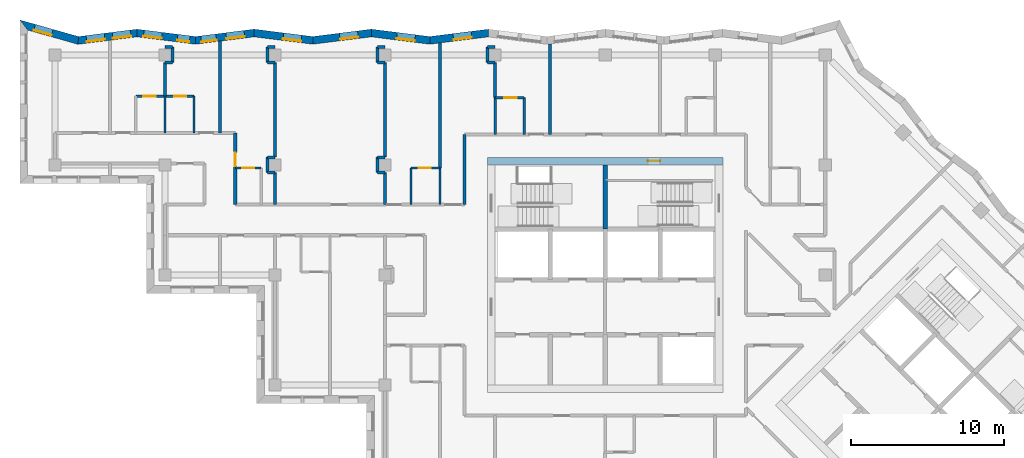
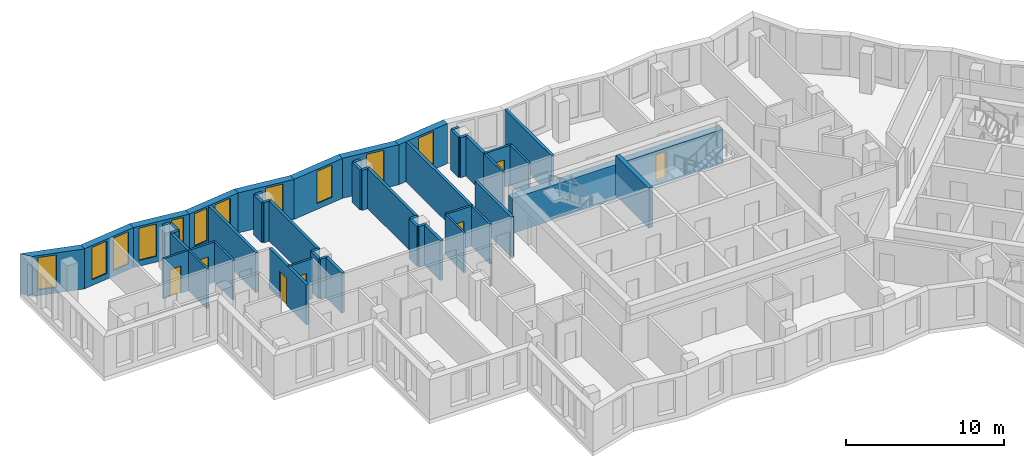
# One storey, part 6 of 12: 49 walls, 11 windows, 7 doors, 18 openings.
"""IFC4 building model written with IfcOpenShell, lengths in metres."""

import ifcopenshell
import ifcopenshell.guid

model = None  # the IFC model being written
_history = None  # IfcOwnerHistory: only IFC2X3 demands one
_inside = {}  # id of a spatial element -> (the spatial element, [elements in it])
_under = {}  # id of a project, library or spatial element -> (it, [spatial elements below it])
_declared = {}  # id of a project -> (the project, [libraries it declares])
_typed = {}  # id of a type object -> (the type object, [elements of that type])
_made_of = {}  # id of a material, layer set ... -> (it, [elements and type objects made of it])


def new_model(schema):
    """Start an empty IFC model of exactly this schema.

    Asked for "IFC4X3", IfcOpenShell would pick the latest addendum, in which some entities
    have other attributes; the version numbers below select the first issue.
    IFC2X3 requires an IfcOwnerHistory on every rooted entity: one is made here for all.
    """
    global model, _history
    if schema == "IFC4X3":
        model = ifcopenshell.file(schema_version=(4, 3, 0, 0))
    else:
        model = ifcopenshell.file(schema=schema)
    _inside.clear()
    _under.clear()
    _declared.clear()
    _typed.clear()
    _made_of.clear()
    _history = None
    if model.schema == "IFC2X3":
        org = make("IfcOrganization", Name="unknown")
        user = make(
            "IfcPersonAndOrganization",
            ThePerson=make("IfcPerson", FamilyName="unknown"),
            TheOrganization=org,
        )
        app = make(
            "IfcApplication",
            ApplicationDeveloper=org,
            Version="unknown",
            ApplicationFullName="unknown",
            ApplicationIdentifier="unknown",
        )
        _history = make(
            "IfcOwnerHistory",
            OwningUser=user,
            OwningApplication=app,
            ChangeAction="ADDED",
            CreationDate=0,
        )
    return model


def make(cls, **values):
    """One entity of the class cls with the attributes given. An attribute that is None is left unset."""
    return model.create_entity(
        cls, **{name: value for name, value in values.items() if value is not None}
    )


def rooted(cls, **values):
    """An entity with a GlobalId (a new one), such as an element, a storey or a relation."""
    return make(cls, GlobalId=ifcopenshell.guid.new(), OwnerHistory=_history, **values)


def si_unit(unit_type, name, prefix=None):
    """IfcSIUnit, for example si_unit("LENGTHUNIT", "METRE", prefix="MILLI")."""
    return make("IfcSIUnit", UnitType=unit_type, Prefix=prefix, Name=name)


def assignment(units):
    """IfcUnitAssignment: the units of a project."""
    return None if units is None else make("IfcUnitAssignment", Units=units)


def point(xyz):
    """IfcCartesianPoint."""
    return None if xyz is None else make("IfcCartesianPoint", Coordinates=xyz)


def direction(xyz):
    """IfcDirection."""
    return None if xyz is None else make("IfcDirection", DirectionRatios=xyz)


def frame(location, z_axis=None, x_axis=None):
    """IfcAxis2Placement3D, a coordinate frame: its origin and axes. An axis left out is left unset."""
    return make(
        "IfcAxis2Placement3D",
        Location=point(location),
        Axis=direction(z_axis),
        RefDirection=direction(x_axis),
    )


def frame_2d(location, x_axis=None):
    """IfcAxis2Placement2D, a coordinate frame in the plane: its origin and x axis."""
    return make(
        "IfcAxis2Placement2D", Location=point(location), RefDirection=direction(x_axis)
    )


def origin():
    """The frame at (0, 0, 0) with its axes left unset."""
    return frame((0.0, 0.0, 0.0))


def place(relative_to, where):
    """IfcLocalPlacement: puts the frame where relative to a parent placement (None: the world)."""
    return make(
        "IfcLocalPlacement", PlacementRelTo=relative_to, RelativePlacement=where
    )


def context(
    kind, dimensions, precision=None, world=None, true_north=None, identifier=None
):
    """IfcGeometricRepresentationContext, for example the 3D "Model" context."""
    return make(
        "IfcGeometricRepresentationContext",
        ContextIdentifier=identifier,
        ContextType=kind,
        CoordinateSpaceDimension=dimensions,
        Precision=precision,
        WorldCoordinateSystem=world,
        TrueNorth=true_north,
    )


def subcontext(parent, identifier, kind, view, scale=None):
    """IfcGeometricRepresentationSubContext, for example "Body" below "Model"."""
    return make(
        "IfcGeometricRepresentationSubContext",
        ContextIdentifier=identifier,
        ContextType=kind,
        ParentContext=parent,
        TargetScale=scale,
        TargetView=view,
    )


def project(units=None, contexts=None):
    """IfcProject with its units and contexts."""
    return rooted(
        "IfcProject",
        Name="project",
        RepresentationContexts=contexts,
        UnitsInContext=assignment(units),
    )


def spatial(cls, under=None, at=None, **own):
    """A site, building, storey or space (cls), placed at a placement, below another one or the project."""
    s = rooted(cls, ObjectPlacement=at, **own)
    if under is not None:
        _under.setdefault(under.id(), (under, []))[1].append(s)
    return s


def polyline(points):
    """IfcPolyline through the points."""
    return make("IfcPolyline", Points=[point(p) for p in points])


def profile(cls, at=None, kind="AREA", **sizes):
    """A parametric profile (cls). Its sizes go by their IFC names, for example OverallWidth=200.0."""
    return make(cls, ProfileType=kind, Position=at, **sizes)


def rectangle(**sizes):
    """IfcRectangleProfileDef."""
    return profile("IfcRectangleProfileDef", **sizes)


def outline(outer, holes=None, kind="AREA"):
    """IfcArbitraryClosedProfileDef: a profile drawn as a closed curve; with holes, ...WithVoids."""
    if holes is None:
        return make("IfcArbitraryClosedProfileDef", ProfileType=kind, OuterCurve=outer)
    return make(
        "IfcArbitraryProfileDefWithVoids",
        ProfileType=kind,
        OuterCurve=outer,
        InnerCurves=holes,
    )


def extrude(swept, where, along, depth):
    """IfcExtrudedAreaSolid: the profile swept, set in the frame where, extruded along a direction by depth."""
    return make(
        "IfcExtrudedAreaSolid",
        SweptArea=swept,
        Position=where,
        ExtrudedDirection=direction(along),
        Depth=depth,
    )


def shape(context_of_items, identifier, shape_type, items):
    """IfcShapeRepresentation: the items that make up one representation, for example the "Body"."""
    return make(
        "IfcShapeRepresentation",
        ContextOfItems=context_of_items,
        RepresentationIdentifier=identifier,
        RepresentationType=shape_type,
        Items=items,
    )


def material(Name=None, Category=None):
    """IfcMaterial."""
    return make("IfcMaterial", Name=Name, Category=Category)


def layer(
    of_material, thickness, ventilated=None, Name=None, Category=None, Priority=None
):
    """IfcMaterialLayer: one layer of a wall or slab, of a material (None: an air gap)."""
    return make(
        "IfcMaterialLayer",
        Material=of_material,
        LayerThickness=thickness,
        IsVentilated=ventilated,
        Name=Name,
        Category=Category,
        Priority=Priority,
    )


def layer_set(layers, Name=None):
    """IfcMaterialLayerSet."""
    return make("IfcMaterialLayerSet", MaterialLayers=layers, LayerSetName=Name)


def made_of(thing, what):
    """Note that an element or type object is made of a material, layer set ...; save() writes the relation."""
    if what is not None:
        _made_of.setdefault(what.id(), (what, []))[1].append(thing)
    return thing


def type_object(cls, material=None, **own):
    """A type object (cls), such as IfcWallType, which elements share."""
    return made_of(rooted(cls, **own), material)


def element(
    cls,
    number,
    at=None,
    inside=None,
    cuts=None,
    type_object=None,
    material=None,
    context=None,
    identifier="Body",
    shape_type=None,
    held_by="IfcProductDefinitionShape",
    body=None,
    shapes=None,
    **own,
):
    """One element of the class cls, such as IfcWall. Its Tag is "e" and its number.

    at: its placement. inside: the storey or other place that contains it. cuts: it is an
    opening in that element (IfcRelVoidsElement). A single representation is given by context,
    identifier, shape_type and body (its items); several are given by shapes. held_by: the class
    of the entity that holds the representations. save() writes the other relations.
    """
    e = rooted(cls, Tag="e%d" % number, ObjectPlacement=at, **own)
    if body is not None:
        shapes = [shape(context, identifier, shape_type, body)]
    if shapes is not None:
        e.Representation = make(held_by, Representations=shapes)
    if inside is not None:
        _inside.setdefault(inside.id(), (inside, []))[1].append(e)
    if cuts is not None:
        rooted(
            "IfcRelVoidsElement", RelatingBuildingElement=cuts, RelatedOpeningElement=e
        )
    if type_object is not None:
        _typed.setdefault(type_object.id(), (type_object, []))[1].append(e)
    return made_of(e, material)


def fill(opening, filler):
    """IfcRelFillsElement: the door or window that sits in an opening."""
    return rooted(
        "IfcRelFillsElement",
        RelatingOpeningElement=opening,
        RelatedBuildingElement=filler,
    )


def aggregate(whole, parts):
    """IfcRelAggregates: a whole, such as a stair, and the parts it consists of."""
    return rooted("IfcRelAggregates", RelatingObject=whole, RelatedObjects=parts)


def save(model, path):
    """Write the relations noted so far, then the file.

    IfcRelAggregates (storeys below a building ...), IfcRelContainedInSpatialStructure (elements
    in a storey), IfcRelDefinesByType, IfcRelAssociatesMaterial and IfcRelDeclares: one each for
    every whole, place, type object, material and project.
    """
    for whole, parts in _under.values():
        aggregate(whole, parts)
    for where, things in _inside.values():
        rooted(
            "IfcRelContainedInSpatialStructure",
            RelatedElements=things,
            RelatingStructure=where,
        )
    for kind, things in _typed.values():
        rooted("IfcRelDefinesByType", RelatedObjects=things, RelatingType=kind)
    for what, things in _made_of.values():
        rooted("IfcRelAssociatesMaterial", RelatedObjects=things, RelatingMaterial=what)
    for by, libraries in _declared.values():
        rooted("IfcRelDeclares", RelatingContext=by, RelatedDefinitions=libraries)
    model.write(path)


model = new_model("IFC4")

# Units and contexts
model_context = context("Model", 3, precision=1e-05, world=origin(), true_north=direction((0.0, 1.0)))
body_context = subcontext(model_context, "Body", "Model", "MODEL_VIEW")
ifc_project = project(units=[si_unit("LENGTHUNIT", "METRE"), si_unit("AREAUNIT", "SQUARE_METRE"), si_unit("VOLUMEUNIT", "CUBIC_METRE"), si_unit("PLANEANGLEUNIT", "RADIAN"), si_unit("MASSUNIT", "GRAM", prefix="KILO")], contexts=[model_context])

# Site, building, storey
site_placement = place(None, origin())
site = spatial("IfcSite", under=ifc_project, at=site_placement, CompositionType="ELEMENT")
building_placement = place(site_placement, origin())
building = spatial("IfcBuilding", under=site, at=building_placement, Name="Windrow Commons", CompositionType="ELEMENT")
storey_placement = place(building_placement, frame((0.0, 0.0, 210.0)))
storey = spatial("IfcBuildingStorey", under=building, at=storey_placement, Name="L57", CompositionType="ELEMENT", Elevation=210.0)

# Wall, opening, window
ifc_material_1 = material(Name="Brick masonry, red clay brick", Category="masonry")
ifc_layer_1 = layer(ifc_material_1, 0.5)
ifc_layer_set_1 = layer_set([ifc_layer_1], Name="Brick facade wall 500")
wall_type_1 = type_object("IfcWallType", Name="Brick facade wall 500", PredefinedType="SOLIDWALL", material=ifc_layer_set_1)
wall_1_placement = place(storey_placement, frame((57.1622, 73.43, 0.0), z_axis=(0.0, 0.0, 1.0), x_axis=(-0.9921763319, -0.1248444087, 0.0)))
wall_1 = element("IfcWall", 1, at=wall_1_placement, inside=storey, type_object=wall_type_1, Name="Brick facade wall L57 23", PredefinedType="SOLIDWALL", context=body_context, shape_type="SweptSolid", body=[
    extrude(outline(polyline([(-0.0315, -0.25), (3.8293, -0.25), (3.8922, 0.25), (0.0315, 0.25), (-0.0315, -0.25)])), origin(), (0.0, 0.0, 1.0), 3.1),
])
opening_1_placement = place(wall_1_placement, frame((1.1093, 0.0, 0.45)))
opening_1 = element("IfcOpeningElement", 2, at=opening_1_placement, cuts=wall_1, Name="Opening W7E", PredefinedType="OPENING", context=body_context, shape_type="SweptSolid", body=[
    extrude(rectangle(XDim=1.2, YDim=2.5, at=frame_2d((0.6, 1.25))), frame((0.0, 0.26, 0.0), z_axis=(0.0, -1.0, 0.0), x_axis=(1.0, 0.0, 0.0)), (0.0, 0.0, 1.0), 0.52),
])
ifc_material_2 = material(Name="Clear float glass in anodised aluminium frame", Category="aluminium")
window_type_1 = type_object("IfcWindowType", Name="Window W7 notch 1200x2500", PartitioningType="SINGLE_PANEL", PredefinedType="WINDOW", material=ifc_material_2)
window_1_placement = place(opening_1_placement, origin())
window_1 = element("IfcWindow", 3, at=window_1_placement, inside=storey, type_object=window_type_1, Name="Window L57 23.1", OverallHeight=2.5, OverallWidth=1.2, PartitioningType="SINGLE_PANEL", PredefinedType="WINDOW", context=body_context, shape_type="SweptSolid", body=[
    extrude(rectangle(XDim=1.2, YDim=2.5, at=frame_2d((0.6, 1.25))), frame((0.0, 0.18, 0.0), z_axis=(0.0, -1.0, 0.0), x_axis=(1.0, 0.0, 0.0)), (0.0, 0.0, 1.0), 0.06),
])
fill(opening_1, window_1)

wall_2_placement = place(storey_placement, frame((53.3316, 72.948, 0.0), z_axis=(0.0, 0.0, 1.0), x_axis=(-0.9921759282, 0.1248476171, 0.0)))
wall_2 = element("IfcWall", 4, at=wall_2_placement, inside=storey, type_object=wall_type_1, Name="Brick facade wall L57 24", PredefinedType="SOLIDWALL", context=body_context, shape_type="SweptSolid", body=[
    extrude(outline(polyline([(0.0315, -0.25), (3.8922, -0.25), (3.8293, 0.25), (-0.0315, 0.25), (0.0315, -0.25)])), origin(), (0.0, 0.0, 1.0), 3.1),
])
opening_2_placement = place(wall_2_placement, frame((0.9774, 0.0, 0.45)))
opening_2 = element("IfcOpeningElement", 5, at=opening_2_placement, cuts=wall_2, Name="Opening W7E", PredefinedType="OPENING", context=body_context, shape_type="SweptSolid", body=[
    extrude(rectangle(XDim=1.2, YDim=2.5, at=frame_2d((0.6, 1.25))), frame((0.0, 0.26, 0.0), z_axis=(0.0, -1.0, 0.0), x_axis=(1.0, 0.0, 0.0)), (0.0, 0.0, 1.0), 0.52),
])
window_2_placement = place(opening_2_placement, origin())
window_2 = element("IfcWindow", 6, at=window_2_placement, inside=storey, type_object=window_type_1, Name="Window L57 24.1", OverallHeight=2.5, OverallWidth=1.2, PartitioningType="SINGLE_PANEL", PredefinedType="WINDOW", context=body_context, shape_type="SweptSolid", body=[
    extrude(rectangle(XDim=1.2, YDim=2.5, at=frame_2d((0.6, 1.25))), frame((0.0, 0.18, 0.0), z_axis=(0.0, -1.0, 0.0), x_axis=(1.0, 0.0, 0.0)), (0.0, 0.0, 1.0), 0.06),
])
fill(opening_2, window_2)

wall_3_placement = place(storey_placement, frame((49.5011, 73.43, 0.0), z_axis=(0.0, 0.0, 1.0), x_axis=(-0.9921759282, -0.1248476171, 0.0)))
wall_3 = element("IfcWall", 7, at=wall_3_placement, inside=storey, type_object=wall_type_1, Name="Brick facade wall L57 25", PredefinedType="SOLIDWALL", context=body_context, shape_type="SweptSolid", body=[
    extrude(outline(polyline([(-0.0315, -0.25), (3.8293, -0.25), (3.8922, 0.25), (0.0315, 0.25), (-0.0315, -0.25)])), origin(), (0.0, 0.0, 1.0), 3.1),
])
opening_3_placement = place(wall_3_placement, frame((0.8769, 0.0, 0.45)))
opening_3 = element("IfcOpeningElement", 8, at=opening_3_placement, cuts=wall_3, Name="Opening W7E", PredefinedType="OPENING", context=body_context, shape_type="SweptSolid", body=[
    extrude(rectangle(XDim=1.2, YDim=2.5, at=frame_2d((0.6, 1.25))), frame((0.0, 0.26, 0.0), z_axis=(0.0, -1.0, 0.0), x_axis=(1.0, 0.0, 0.0)), (0.0, 0.0, 1.0), 0.52),
])
window_3_placement = place(opening_3_placement, origin())
window_3 = element("IfcWindow", 9, at=window_3_placement, inside=storey, type_object=window_type_1, Name="Window L57 25.1", OverallHeight=2.5, OverallWidth=1.2, PartitioningType="SINGLE_PANEL", PredefinedType="WINDOW", context=body_context, shape_type="SweptSolid", body=[
    extrude(rectangle(XDim=1.2, YDim=2.5, at=frame_2d((0.6, 1.25))), frame((0.0, 0.18, 0.0), z_axis=(0.0, -1.0, 0.0), x_axis=(1.0, 0.0, 0.0)), (0.0, 0.0, 1.0), 0.06),
])
fill(opening_3, window_3)

wall_4_placement = place(storey_placement, frame((45.6706, 72.948, 0.0), z_axis=(0.0, 0.0, 1.0), x_axis=(-0.9921759282, 0.1248476171, 0.0)))
wall_4 = element("IfcWall", 10, at=wall_4_placement, inside=storey, type_object=wall_type_1, Name="Brick facade wall L57 26", PredefinedType="SOLIDWALL", context=body_context, shape_type="SweptSolid", body=[
    extrude(outline(polyline([(0.0315, -0.25), (3.8922, -0.25), (3.8293, 0.25), (-0.0315, 0.25), (0.0315, -0.25)])), origin(), (0.0, 0.0, 1.0), 3.1),
])
opening_4_placement = place(wall_4_placement, frame((0.745, 0.0, 0.45)))
opening_4 = element("IfcOpeningElement", 11, at=opening_4_placement, cuts=wall_4, Name="Opening W7E", PredefinedType="OPENING", context=body_context, shape_type="SweptSolid", body=[
    extrude(rectangle(XDim=1.2, YDim=2.5, at=frame_2d((0.6, 1.25))), frame((0.0, 0.26, 0.0), z_axis=(0.0, -1.0, 0.0), x_axis=(1.0, 0.0, 0.0)), (0.0, 0.0, 1.0), 0.52),
])
window_4_placement = place(opening_4_placement, origin())
window_4 = element("IfcWindow", 12, at=window_4_placement, inside=storey, type_object=window_type_1, Name="Window L57 26.1", OverallHeight=2.5, OverallWidth=1.2, PartitioningType="SINGLE_PANEL", PredefinedType="WINDOW", context=body_context, shape_type="SweptSolid", body=[
    extrude(rectangle(XDim=1.2, YDim=2.5, at=frame_2d((0.6, 1.25))), frame((0.0, 0.18, 0.0), z_axis=(0.0, -1.0, 0.0), x_axis=(1.0, 0.0, 0.0)), (0.0, 0.0, 1.0), 0.06),
])
fill(opening_4, window_4)

# Wall, openings, windows
wall_5_placement = place(storey_placement, frame((41.8401, 73.43, 0.0), z_axis=(0.0, 0.0, 1.0), x_axis=(-0.9921759282, -0.1248476171, 0.0)))
wall_5 = element("IfcWall", 13, at=wall_5_placement, inside=storey, type_object=wall_type_1, Name="Brick facade wall L57 27", PredefinedType="SOLIDWALL", context=body_context, shape_type="SweptSolid", body=[
    extrude(outline(polyline([(-0.0315, -0.25), (3.8293, -0.25), (3.8922, 0.25), (0.0315, 0.25), (-0.0315, -0.25)])), origin(), (0.0, 0.0, 1.0), 3.1),
])
opening_5_placement = place(wall_5_placement, frame((0.6446, 0.0, 0.45)))
opening_5 = element("IfcOpeningElement", 14, at=opening_5_placement, cuts=wall_5, Name="Opening W7E", PredefinedType="OPENING", context=body_context, shape_type="SweptSolid", body=[
    extrude(rectangle(XDim=1.2, YDim=2.5, at=frame_2d((0.6, 1.25))), frame((0.0, 0.26, 0.0), z_axis=(0.0, -1.0, 0.0), x_axis=(1.0, 0.0, 0.0)), (0.0, 0.0, 1.0), 0.52),
])
opening_6_placement = place(wall_5_placement, frame((2.4999, 0.0, 0.45)))
opening_6 = element("IfcOpeningElement", 15, at=opening_6_placement, cuts=wall_5, Name="Opening W1S", PredefinedType="OPENING", context=body_context, shape_type="SweptSolid", body=[
    extrude(rectangle(XDim=1.0, YDim=2.5, at=frame_2d((0.5, 1.25))), frame((0.0, 0.26, 0.0), z_axis=(0.0, -1.0, 0.0), x_axis=(1.0, 0.0, 0.0)), (0.0, 0.0, 1.0), 0.52),
])
ifc_material_3 = material(Name="Clear float glass in anodised aluminium frame", Category="aluminium")
window_type_2 = type_object("IfcWindowType", Name="Window W1S slit 1000x2500", PartitioningType="SINGLE_PANEL", PredefinedType="WINDOW", material=ifc_material_3)
window_5_placement = place(opening_6_placement, origin())
window_5 = element("IfcWindow", 16, at=window_5_placement, inside=storey, type_object=window_type_2, Name="Window L57 27.2A", OverallHeight=2.5, OverallWidth=1.0, PartitioningType="SINGLE_PANEL", PredefinedType="WINDOW", context=body_context, shape_type="SweptSolid", body=[
    extrude(rectangle(XDim=1.0, YDim=2.5, at=frame_2d((0.5, 1.25))), frame((0.0, 0.18, 0.0), z_axis=(0.0, -1.0, 0.0), x_axis=(1.0, 0.0, 0.0)), (0.0, 0.0, 1.0), 0.06),
])
fill(opening_6, window_5)
window_6_placement = place(opening_5_placement, origin())
window_6 = element("IfcWindow", 17, at=window_6_placement, inside=storey, type_object=window_type_1, Name="Window L57 27.1", OverallHeight=2.5, OverallWidth=1.2, PartitioningType="SINGLE_PANEL", PredefinedType="WINDOW", context=body_context, shape_type="SweptSolid", body=[
    extrude(rectangle(XDim=1.2, YDim=2.5, at=frame_2d((0.6, 1.25))), frame((0.0, 0.18, 0.0), z_axis=(0.0, -1.0, 0.0), x_axis=(1.0, 0.0, 0.0)), (0.0, 0.0, 1.0), 0.06),
])
fill(opening_5, window_6)

wall_6_placement = place(storey_placement, frame((38.0096, 72.948, 0.0), z_axis=(0.0, 0.0, 1.0), x_axis=(-0.9921763319, 0.1248444087, 0.0)))
wall_6 = element("IfcWall", 18, at=wall_6_placement, inside=storey, type_object=wall_type_1, Name="Brick facade wall L57 28", PredefinedType="SOLIDWALL", context=body_context, shape_type="SweptSolid", body=[
    extrude(outline(polyline([(0.0315, -0.25), (3.8922, -0.25), (3.8293, 0.25), (-0.0315, 0.25), (0.0315, -0.25)])), origin(), (0.0, 0.0, 1.0), 3.1),
])
opening_7_placement = place(wall_6_placement, frame((2.2273, 0.0, 0.45)))
opening_7 = element("IfcOpeningElement", 19, at=opening_7_placement, cuts=wall_6, Name="Opening W7E", PredefinedType="OPENING", context=body_context, shape_type="SweptSolid", body=[
    extrude(rectangle(XDim=1.2, YDim=2.5, at=frame_2d((0.6, 1.25))), frame((0.0, 0.26, 0.0), z_axis=(0.0, -1.0, 0.0), x_axis=(1.0, 0.0, 0.0)), (0.0, 0.0, 1.0), 0.52),
])
opening_8_placement = place(wall_6_placement, frame((0.3965, 0.0, 0.45)))
opening_8 = element("IfcOpeningElement", 20, at=opening_8_placement, cuts=wall_6, Name="Opening W1N", PredefinedType="OPENING", context=body_context, shape_type="SweptSolid", body=[
    extrude(rectangle(XDim=0.8, YDim=2.5, at=frame_2d((0.4, 1.25))), frame((0.0, 0.26, 0.0), z_axis=(0.0, -1.0, 0.0), x_axis=(1.0, 0.0, 0.0)), (0.0, 0.0, 1.0), 0.52),
])
ifc_material_4 = material(Name="Clear float glass in anodised aluminium frame", Category="aluminium")
window_type_3 = type_object("IfcWindowType", Name="Window W1N slit 800x2500", PartitioningType="SINGLE_PANEL", PredefinedType="WINDOW", material=ifc_material_4)
window_7_placement = place(opening_8_placement, origin())
window_7 = element("IfcWindow", 21, at=window_7_placement, inside=storey, type_object=window_type_3, Name="Window L57 28.1A", OverallHeight=2.5, OverallWidth=0.8, PartitioningType="SINGLE_PANEL", PredefinedType="WINDOW", context=body_context, shape_type="SweptSolid", body=[
    extrude(rectangle(XDim=0.8, YDim=2.5, at=frame_2d((0.4, 1.25))), frame((0.0, 0.18, 0.0), z_axis=(0.0, -1.0, 0.0), x_axis=(1.0, 0.0, 0.0)), (0.0, 0.0, 1.0), 0.06),
])
fill(opening_8, window_7)
window_8_placement = place(opening_7_placement, origin())
window_8 = element("IfcWindow", 22, at=window_8_placement, inside=storey, type_object=window_type_1, Name="Window L57 28.2", OverallHeight=2.5, OverallWidth=1.2, PartitioningType="SINGLE_PANEL", PredefinedType="WINDOW", context=body_context, shape_type="SweptSolid", body=[
    extrude(rectangle(XDim=1.2, YDim=2.5, at=frame_2d((0.6, 1.25))), frame((0.0, 0.18, 0.0), z_axis=(0.0, -1.0, 0.0), x_axis=(1.0, 0.0, 0.0)), (0.0, 0.0, 1.0), 0.06),
])
fill(opening_7, window_8)

wall_7_placement = place(storey_placement, frame((34.179, 73.43, 0.0), z_axis=(0.0, 0.0, 1.0), x_axis=(-0.9921760365, -0.1248467561, 0.0)))
wall_7 = element("IfcWall", 23, at=wall_7_placement, inside=storey, type_object=wall_type_1, Name="Brick facade wall L57 29", PredefinedType="SOLIDWALL", context=body_context, shape_type="SweptSolid", body=[
    extrude(outline(polyline([(-0.0315, -0.25), (3.8293, -0.25), (3.9307, 0.25), (0.0315, 0.25), (-0.0315, -0.25)])), origin(), (0.0, 0.0, 1.0), 3.1),
])
opening_9_placement = place(wall_7_placement, frame((0.4123, 0.0, 0.45)))
opening_9 = element("IfcOpeningElement", 24, at=opening_9_placement, cuts=wall_7, Name="Opening W7E", PredefinedType="OPENING", context=body_context, shape_type="SweptSolid", body=[
    extrude(rectangle(XDim=1.2, YDim=2.5, at=frame_2d((0.6, 1.25))), frame((0.0, 0.26, 0.0), z_axis=(0.0, -1.0, 0.0), x_axis=(1.0, 0.0, 0.0)), (0.0, 0.0, 1.0), 0.52),
])
opening_10_placement = place(wall_7_placement, frame((2.1365, 0.0, 0.45)))
opening_10 = element("IfcOpeningElement", 25, at=opening_10_placement, cuts=wall_7, Name="Opening W7E", PredefinedType="OPENING", context=body_context, shape_type="SweptSolid", body=[
    extrude(rectangle(XDim=1.2, YDim=2.5, at=frame_2d((0.6, 1.25))), frame((0.0, 0.26, 0.0), z_axis=(0.0, -1.0, 0.0), x_axis=(1.0, 0.0, 0.0)), (0.0, 0.0, 1.0), 0.52),
])
window_9_placement = place(opening_9_placement, origin())
window_9 = element("IfcWindow", 26, at=window_9_placement, inside=storey, type_object=window_type_1, Name="Window L57 29.1", OverallHeight=2.5, OverallWidth=1.2, PartitioningType="SINGLE_PANEL", PredefinedType="WINDOW", context=body_context, shape_type="SweptSolid", body=[
    extrude(rectangle(XDim=1.2, YDim=2.5, at=frame_2d((0.6, 1.25))), frame((0.0, 0.18, 0.0), z_axis=(0.0, -1.0, 0.0), x_axis=(1.0, 0.0, 0.0)), (0.0, 0.0, 1.0), 0.06),
])
fill(opening_9, window_9)
window_10_placement = place(opening_10_placement, origin())
window_10 = element("IfcWindow", 27, at=window_10_placement, inside=storey, type_object=window_type_1, Name="Window L57 29.2", OverallHeight=2.5, OverallWidth=1.2, PartitioningType="SINGLE_PANEL", PredefinedType="WINDOW", context=body_context, shape_type="SweptSolid", body=[
    extrude(rectangle(XDim=1.2, YDim=2.5, at=frame_2d((0.6, 1.25))), frame((0.0, 0.18, 0.0), z_axis=(0.0, -1.0, 0.0), x_axis=(1.0, 0.0, 0.0)), (0.0, 0.0, 1.0), 0.06),
])
fill(opening_10, window_10)

# Wall, opening, window
wall_8_placement = place(storey_placement, frame((30.3294, 72.9456, 0.0), z_axis=(0.0, 0.0, 1.0), x_axis=(-0.9623435242, 0.2718362401, 0.0)))
wall_8 = element("IfcWall", 28, at=wall_8_placement, inside=storey, type_object=wall_type_1, Name="Brick facade wall L57 30", PredefinedType="SOLIDWALL", context=body_context, shape_type="SweptSolid", body=[
    extrude(outline(polyline([(0.0507, -0.25), (4.0311, -0.25), (3.3703, 0.25), (-0.0507, 0.25), (0.0507, -0.25)])), origin(), (0.0, 0.0, 1.0), 3.1),
])
opening_11_placement = place(wall_8_placement, frame((1.7798, 0.0, 0.45)))
opening_11 = element("IfcOpeningElement", 29, at=opening_11_placement, cuts=wall_8, Name="Opening W7E", PredefinedType="OPENING", context=body_context, shape_type="SweptSolid", body=[
    extrude(rectangle(XDim=1.2, YDim=2.5, at=frame_2d((0.6, 1.25))), frame((0.0, 0.26, 0.0), z_axis=(0.0, -1.0, 0.0), x_axis=(1.0, 0.0, 0.0)), (0.0, 0.0, 1.0), 0.52),
])
window_11_placement = place(opening_11_placement, origin())
window_11 = element("IfcWindow", 30, at=window_11_placement, inside=storey, type_object=window_type_1, Name="Window L57 30.1", OverallHeight=2.5, OverallWidth=1.2, PartitioningType="SINGLE_PANEL", PredefinedType="WINDOW", context=body_context, shape_type="SweptSolid", body=[
    extrude(rectangle(XDim=1.2, YDim=2.5, at=frame_2d((0.6, 1.25))), frame((0.0, 0.18, 0.0), z_axis=(0.0, -1.0, 0.0), x_axis=(1.0, 0.0, 0.0)), (0.0, 0.0, 1.0), 0.06),
])
fill(opening_11, window_11)

# Wall, opening, door
ifc_material_5 = material(Name="Blockwork partition", Category="masonry")
ifc_layer_2 = layer(ifc_material_5, 0.2)
ifc_layer_set_2 = layer_set([ifc_layer_2], Name="IW-CORRIDOR-200")
wall_type_2 = type_object("IfcWallType", Name="IW-CORRIDOR-200", PredefinedType="PARTITIONING", material=ifc_layer_set_2)
wall_9_placement = place(storey_placement, frame((40.6, 62.202, 0.0), z_axis=(0.0, 0.0, 1.0), x_axis=(0.0, 1.0, 0.0)))
wall_9 = element("IfcWall", 31, at=wall_9_placement, inside=storey, type_object=wall_type_2, Name="W-L57-W039", PredefinedType="PARTITIONING", context=body_context, shape_type="SweptSolid", body=[
    extrude(rectangle(XDim=4.698, YDim=0.2, at=frame_2d((2.349, 0.0))), origin(), (0.0, 0.0, 1.0), 3.1),
])
opening_12_placement = place(wall_9_placement, frame((2.5098, 0.0, 0.0)))
opening_12 = element("IfcOpeningElement", 32, at=opening_12_placement, cuts=wall_9, Name="Opening D109S", PredefinedType="OPENING", context=body_context, shape_type="SweptSolid", body=[
    extrude(rectangle(XDim=0.9, YDim=2.1, at=frame_2d((0.45, 1.05))), frame((0.0, 0.11, 0.0), z_axis=(0.0, -1.0, 0.0), x_axis=(1.0, 0.0, 0.0)), (0.0, 0.0, 1.0), 0.22),
])
ifc_material_6 = material(Name="Timber door leaf", Category="wood")
door_type_1 = type_object("IfcDoorType", Name="DT-BEDROOM-900", OperationType="SINGLE_SWING_LEFT", PredefinedType="DOOR", material=ifc_material_6)
door_1_placement = place(opening_12_placement, origin())
door_1 = element("IfcDoor", 33, at=door_1_placement, inside=storey, type_object=door_type_1, Name="D-L57-D016", OperationType="SINGLE_SWING_LEFT", OverallHeight=2.1, OverallWidth=0.9, PredefinedType="DOOR", context=body_context, shape_type="SweptSolid", body=[
    extrude(rectangle(XDim=0.9, YDim=2.1, at=frame_2d((0.45, 1.05))), frame((0.0, 0.025, 0.0), z_axis=(0.0, -1.0, 0.0), x_axis=(1.0, 0.0, 0.0)), (0.0, 0.0, 1.0), 0.05),
])
fill(opening_12, door_1)

# Wall
wall_10_placement = place(storey_placement, frame((55.6, 62.202, 0.0), z_axis=(0.0, 0.0, 1.0), x_axis=(0.0, 1.0, 0.0)))
element("IfcWall", 34, at=wall_10_placement, inside=storey, type_object=wall_type_2, Name="W-L57-W041", PredefinedType="PARTITIONING", context=body_context, shape_type="SweptSolid", body=[
    extrude(rectangle(XDim=4.598, YDim=0.2, at=frame_2d((2.299, 0.0))), origin(), (0.0, 0.0, 1.0), 3.1),
])

# Wall, openings, doors
ifc_material_7 = material(Name="Blockwork partition", Category="masonry")
ifc_layer_3 = layer(ifc_material_7, 0.15)
ifc_layer_set_3 = layer_set([ifc_layer_3], Name="IW-ENSUITE-150")
wall_type_3 = type_object("IfcWallType", Name="IW-ENSUITE-150", PredefinedType="PARTITIONING", material=ifc_layer_set_3)
wall_11_placement = place(storey_placement, frame((34.1, 69.3, 0.0), z_axis=(0.0, 0.0, 1.0), x_axis=(1.0, 0.0, 0.0)))
wall_11 = element("IfcWall", 35, at=wall_11_placement, inside=storey, type_object=wall_type_3, Name="W-L57-W045", PredefinedType="PARTITIONING", context=body_context, shape_type="SweptSolid", body=[
    extrude(rectangle(XDim=3.8, YDim=0.15, at=frame_2d((1.9, 0.0))), origin(), (0.0, 0.0, 1.0), 3.1),
])
opening_13_placement = place(wall_11_placement, frame((0.4931, 0.0, 0.0)))
opening_13 = element("IfcOpeningElement", 36, at=opening_13_placement, cuts=wall_11, Name="Opening D208N", PredefinedType="OPENING", context=body_context, shape_type="SweptSolid", body=[
    extrude(rectangle(XDim=0.8, YDim=2.1, at=frame_2d((0.4, 1.05))), frame((0.0, 0.085, 0.0), z_axis=(0.0, -1.0, 0.0), x_axis=(1.0, 0.0, 0.0)), (0.0, 0.0, 1.0), 0.17),
])
opening_14_placement = place(wall_11_placement, frame((2.5069, 0.0, 0.0)))
opening_14 = element("IfcOpeningElement", 37, at=opening_14_placement, cuts=wall_11, Name="Opening D208N", PredefinedType="OPENING", context=body_context, shape_type="SweptSolid", body=[
    extrude(rectangle(XDim=0.8, YDim=2.1, at=frame_2d((0.4, 1.05))), frame((0.0, 0.085, 0.0), z_axis=(0.0, -1.0, 0.0), x_axis=(1.0, 0.0, 0.0)), (0.0, 0.0, 1.0), 0.17),
])
ifc_material_8 = material(Name="Timber door leaf", Category="wood")
door_type_2 = type_object("IfcDoorType", Name="DT-ENSUITE-800", OperationType="SINGLE_SWING_LEFT", PredefinedType="DOOR", material=ifc_material_8)
door_2_placement = place(opening_13_placement, origin())
door_2 = element("IfcDoor", 38, at=door_2_placement, inside=storey, type_object=door_type_2, Name="D-L57-D004", OperationType="SINGLE_SWING_RIGHT", OverallHeight=2.1, OverallWidth=0.8, PredefinedType="DOOR", context=body_context, shape_type="SweptSolid", body=[
    extrude(rectangle(XDim=0.8, YDim=2.1, at=frame_2d((0.4, 1.05))), frame((0.0, 0.025, 0.0), z_axis=(0.0, -1.0, 0.0), x_axis=(1.0, 0.0, 0.0)), (0.0, 0.0, 1.0), 0.05),
])
fill(opening_13, door_2)
door_3_placement = place(opening_14_placement, origin())
door_3 = element("IfcDoor", 39, at=door_3_placement, inside=storey, type_object=door_type_2, Name="D-L57-D006", OperationType="SINGLE_SWING_RIGHT", OverallHeight=2.1, OverallWidth=0.8, PredefinedType="DOOR", context=body_context, shape_type="SweptSolid", body=[
    extrude(rectangle(XDim=0.8, YDim=2.1, at=frame_2d((0.4, 1.05))), frame((0.0, 0.025, 0.0), z_axis=(0.0, -1.0, 0.0), x_axis=(1.0, 0.0, 0.0)), (0.0, 0.0, 1.0), 0.05),
])
fill(opening_14, door_3)

# Walls
for number, where, z_axis, x_axis, name in (
    (40, (57.6, 66.8, 0.0), (0.0, 0.0, 1.0), (0.0, 1.0, 0.0), "W-L57-W064"),
    (41, (59.5, 66.8, 0.0), (0.0, 0.0, 1.0), (0.0, 1.0, 0.0), "W-L57-W065"),
    (42, (36.0, 66.9, 0.0), (0.0, 0.0, 1.0), (0.0, 1.0, 0.0), "W-L57-W074"),
    (43, (37.9, 66.9, 0.0), (0.0, 0.0, 1.0), (0.0, 1.0, 0.0), "W-L57-W075"),
    (44, (52.1, 62.2, 0.0), (0.0, 0.0, 1.0), (0.0, 1.0, 0.0), "W-L57-W077"),
    (45, (54.0, 62.2, 0.0), (0.0, 0.0, 1.0), (0.0, 1.0, 0.0), "W-L57-W078"),
):
    element("IfcWall", number, at=place(storey_placement, frame(where, z_axis=z_axis, x_axis=x_axis)), inside=storey, type_object=wall_type_3, Name=name, PredefinedType="PARTITIONING", context=body_context, shape_type="SweptSolid", body=[
        extrude(rectangle(XDim=2.4, YDim=0.15, at=frame_2d((1.2, 0.0))), origin(), (0.0, 0.0, 1.0), 3.1),
    ])

# Wall, opening, door
wall_12_placement = place(storey_placement, frame((52.1, 64.6, 0.0), z_axis=(0.0, 0.0, 1.0), x_axis=(1.0, 0.0, 0.0)))
wall_12 = element("IfcWall", 46, at=wall_12_placement, inside=storey, type_object=wall_type_3, Name="W-L57-W110", PredefinedType="PARTITIONING", context=body_context, shape_type="SweptSolid", body=[
    extrude(rectangle(XDim=1.9, YDim=0.15, at=frame_2d((0.95, 0.0))), origin(), (0.0, 0.0, 1.0), 3.1),
])
opening_15_placement = place(wall_12_placement, frame((0.4931, 0.0, 0.0)))
opening_15 = element("IfcOpeningElement", 47, at=opening_15_placement, cuts=wall_12, Name="Opening D208N", PredefinedType="OPENING", context=body_context, shape_type="SweptSolid", body=[
    extrude(rectangle(XDim=0.8, YDim=2.1, at=frame_2d((0.4, 1.05))), frame((0.0, 0.085, 0.0), z_axis=(0.0, -1.0, 0.0), x_axis=(1.0, 0.0, 0.0)), (0.0, 0.0, 1.0), 0.17),
])
door_4_placement = place(opening_15_placement, origin())
door_4 = element("IfcDoor", 48, at=door_4_placement, inside=storey, type_object=door_type_2, Name="D-L57-D020", OperationType="SINGLE_SWING_RIGHT", OverallHeight=2.1, OverallWidth=0.8, PredefinedType="DOOR", context=body_context, shape_type="SweptSolid", body=[
    extrude(rectangle(XDim=0.8, YDim=2.1, at=frame_2d((0.4, 1.05))), frame((0.0, 0.025, 0.0), z_axis=(0.0, -1.0, 0.0), x_axis=(1.0, 0.0, 0.0)), (0.0, 0.0, 1.0), 0.05),
])
fill(opening_15, door_4)

wall_13_placement = place(storey_placement, frame((57.6, 69.2, 0.0), z_axis=(0.0, 0.0, 1.0), x_axis=(1.0, 0.0, 0.0)))
wall_13 = element("IfcWall", 49, at=wall_13_placement, inside=storey, type_object=wall_type_3, Name="W-L57-W113", PredefinedType="PARTITIONING", context=body_context, shape_type="SweptSolid", body=[
    extrude(rectangle(XDim=1.9, YDim=0.15, at=frame_2d((0.95, 0.0))), origin(), (0.0, 0.0, 1.0), 3.1),
])
opening_16_placement = place(wall_13_placement, frame((0.6069, 0.0, 0.0)))
opening_16 = element("IfcOpeningElement", 50, at=opening_16_placement, cuts=wall_13, Name="Opening D208N", PredefinedType="OPENING", context=body_context, shape_type="SweptSolid", body=[
    extrude(rectangle(XDim=0.8, YDim=2.1, at=frame_2d((0.4, 1.05))), frame((0.0, 0.085, 0.0), z_axis=(0.0, -1.0, 0.0), x_axis=(1.0, 0.0, 0.0)), (0.0, 0.0, 1.0), 0.17),
])
door_5_placement = place(opening_16_placement, origin())
door_5 = element("IfcDoor", 51, at=door_5_placement, inside=storey, type_object=door_type_2, Name="D-L57-D008", OperationType="SINGLE_SWING_RIGHT", OverallHeight=2.1, OverallWidth=0.8, PredefinedType="DOOR", context=body_context, shape_type="SweptSolid", body=[
    extrude(rectangle(XDim=0.8, YDim=2.1, at=frame_2d((0.4, 1.05))), frame((0.0, 0.025, 0.0), z_axis=(0.0, -1.0, 0.0), x_axis=(1.0, 0.0, 0.0)), (0.0, 0.0, 1.0), 0.05),
])
fill(opening_16, door_5)

wall_14_placement = place(storey_placement, frame((40.6, 64.6, 0.0), z_axis=(0.0, 0.0, 1.0), x_axis=(1.0, 0.0, 0.0)))
wall_14 = element("IfcWall", 52, at=wall_14_placement, inside=storey, type_object=wall_type_3, Name="W-L57-W117", PredefinedType="PARTITIONING", context=body_context, shape_type="SweptSolid", body=[
    extrude(rectangle(XDim=1.7, YDim=0.15, at=frame_2d((0.85, 0.0))), origin(), (0.0, 0.0, 1.0), 3.1),
])
opening_17_placement = place(wall_14_placement, frame((0.4443, 0.0, 0.0)))
opening_17 = element("IfcOpeningElement", 53, at=opening_17_placement, cuts=wall_14, Name="Opening D208N", PredefinedType="OPENING", context=body_context, shape_type="SweptSolid", body=[
    extrude(rectangle(XDim=0.8, YDim=2.1, at=frame_2d((0.4, 1.05))), frame((0.0, 0.085, 0.0), z_axis=(0.0, -1.0, 0.0), x_axis=(1.0, 0.0, 0.0)), (0.0, 0.0, 1.0), 0.17),
])
door_6_placement = place(opening_17_placement, origin())
door_6 = element("IfcDoor", 54, at=door_6_placement, inside=storey, type_object=door_type_2, Name="D-L57-D017", OperationType="SINGLE_SWING_RIGHT", OverallHeight=2.1, OverallWidth=0.8, PredefinedType="DOOR", context=body_context, shape_type="SweptSolid", body=[
    extrude(rectangle(XDim=0.8, YDim=2.1, at=frame_2d((0.4, 1.05))), frame((0.0, 0.025, 0.0), z_axis=(0.0, -1.0, 0.0), x_axis=(1.0, 0.0, 0.0)), (0.0, 0.0, 1.0), 0.05),
])
fill(opening_17, door_6)

# Walls
ifc_material_9 = material(Name="Blockwork partition", Category="masonry")
ifc_layer_4 = layer(ifc_material_9, 0.2)
ifc_layer_set_4 = layer_set([ifc_layer_4], Name="IW-PARTY-200")
wall_type_4 = type_object("IfcWallType", Name="IW-PARTY-200", PredefinedType="PARTITIONING", material=ifc_layer_set_4)
wall_15_placement = place(storey_placement, frame((54.0, 64.6, 0.0), z_axis=(0.0, 0.0, 1.0), x_axis=(0.0, 1.0, 0.0)))
element("IfcWall", 55, at=wall_15_placement, inside=storey, type_object=wall_type_4, Name="W-L57-W013", PredefinedType="PARTITIONING", context=body_context, shape_type="SweptSolid", body=[
    extrude(rectangle(XDim=8.1802, YDim=0.2, at=frame_2d((4.0901, 0.0))), origin(), (0.0, 0.0, 1.0), 3.1),
])
for number, where, z_axis, x_axis, name in (
    (56, (43.2, 65.304, 0.0), (0.0, 0.0, 1.0), (0.0, 1.0, 0.0), "W-L57-W020"),
    (57, (50.4, 65.304, 0.0), (0.0, 0.0, 1.0), (0.0, 1.0, 0.0), "W-L57-W021"),
):
    element("IfcWall", number, at=place(storey_placement, frame(where, z_axis=z_axis, x_axis=x_axis)), inside=storey, type_object=wall_type_4, Name=name, PredefinedType="PARTITIONING", context=body_context, shape_type="SweptSolid", body=[
        extrude(rectangle(XDim=6.192, YDim=0.2, at=frame_2d((3.096, 0.0))), origin(), (0.0, 0.0, 1.0), 3.1),
    ])
wall_16_placement = place(storey_placement, frame((39.6, 66.9, 0.0), z_axis=(0.0, 0.0, 1.0), x_axis=(0.0, 1.0, 0.0)))
element("IfcWall", 58, at=wall_16_placement, inside=storey, type_object=wall_type_4, Name="W-L57-W024", PredefinedType="PARTITIONING", context=body_context, shape_type="SweptSolid", body=[
    extrude(rectangle(XDim=5.9962, YDim=0.2, at=frame_2d((2.9981, 0.0))), origin(), (0.0, 0.0, 1.0), 3.1),
])
wall_17_placement = place(storey_placement, frame((61.2, 66.8, 0.0), z_axis=(0.0, 0.0, 1.0), x_axis=(0.0, 1.0, 0.0)))
element("IfcWall", 59, at=wall_17_placement, inside=storey, type_object=wall_type_4, Name="W-L57-W026", PredefinedType="PARTITIONING", context=body_context, shape_type="SweptSolid", body=[
    extrude(rectangle(XDim=5.9221, YDim=0.2, at=frame_2d((2.9611, 0.0))), origin(), (0.0, 0.0, 1.0), 3.1),
])
wall_18_placement = place(storey_placement, frame((57.6, 69.2, 0.0), z_axis=(0.0, 0.0, 1.0), x_axis=(0.0, 1.0, 0.0)))
element("IfcWall", 60, at=wall_18_placement, inside=storey, type_object=wall_type_4, Name="W-L57-W085", PredefinedType="PARTITIONING", context=body_context, shape_type="SweptSolid", body=[
    extrude(rectangle(XDim=2.296, YDim=0.2, at=frame_2d((1.148, 0.0))), origin(), (0.0, 0.0, 1.0), 3.1),
])
wall_19_placement = place(storey_placement, frame((36.0, 69.3, 0.0), z_axis=(0.0, 0.0, 1.0), x_axis=(0.0, 1.0, 0.0)))
element("IfcWall", 61, at=wall_19_placement, inside=storey, type_object=wall_type_4, Name="W-L57-W093", PredefinedType="PARTITIONING", context=body_context, shape_type="SweptSolid", body=[
    extrude(rectangle(XDim=2.196, YDim=0.2, at=frame_2d((1.098, 0.0))), origin(), (0.0, 0.0, 1.0), 3.1),
])
for number, where, z_axis, x_axis, name in (
    (62, (43.2, 62.2, 0.0), (0.0, 0.0, 1.0), (0.0, 1.0, 0.0), "W-L57-W094"),
    (63, (50.4, 62.2, 0.0), (0.0, 0.0, 1.0), (0.0, 1.0, 0.0), "W-L57-W095"),
):
    element("IfcWall", number, at=place(storey_placement, frame(where, z_axis=z_axis, x_axis=x_axis)), inside=storey, type_object=wall_type_4, Name=name, PredefinedType="PARTITIONING", context=body_context, shape_type="SweptSolid", body=[
        extrude(rectangle(XDim=2.096, YDim=0.2, at=frame_2d((1.048, 0.0))), origin(), (0.0, 0.0, 1.0), 3.1),
    ])
for number, where, z_axis, x_axis, name in (
    (64, (36.5, 71.496, 0.0), (0.0, 0.0, 1.0), (0.0, 1.0, 0.0), "W-L57-W126"),
    (65, (42.7, 71.496, 0.0), (0.0, 0.0, 1.0), (0.0, 1.0, 0.0), "W-L57-W127"),
    (66, (49.9, 71.496, 0.0), (0.0, 0.0, 1.0), (0.0, 1.0, 0.0), "W-L57-W129"),
    (67, (57.1, 71.496, 0.0), (0.0, 0.0, 1.0), (0.0, 1.0, 0.0), "W-L57-W130"),
):
    element("IfcWall", number, at=place(storey_placement, frame(where, z_axis=z_axis, x_axis=x_axis)), inside=storey, type_object=wall_type_4, Name=name, PredefinedType="PARTITIONING", context=body_context, shape_type="SweptSolid", body=[
        extrude(rectangle(XDim=1.01, YDim=0.2, at=frame_2d((0.505, 0.0))), origin(), (0.0, 0.0, 1.0), 3.1),
    ])
for number, where, z_axis, x_axis, name in (
    (68, (42.7, 64.296, 0.0), (0.0, 0.0, 1.0), (0.0, 1.0, 0.0), "W-L57-W133"),
    (69, (49.9, 64.296, 0.0), (0.0, 0.0, 1.0), (0.0, 1.0, 0.0), "W-L57-W134"),
):
    element("IfcWall", number, at=place(storey_placement, frame(where, z_axis=z_axis, x_axis=x_axis)), inside=storey, type_object=wall_type_4, Name=name, PredefinedType="PARTITIONING", context=body_context, shape_type="SweptSolid", body=[
        extrude(rectangle(XDim=1.008, YDim=0.2, at=frame_2d((0.504, 0.0))), origin(), (0.0, 0.0, 1.0), 3.1),
    ])
for number, where, z_axis, x_axis, name in (
    (70, (36.0, 72.51, 0.0), (0.0, 0.0, 1.0), (1.0, 0.0, 0.0), "W-L57-W140"),
    (71, (42.7, 72.51, 0.0), (0.0, 0.0, 1.0), (1.0, 0.0, 0.0), "W-L57-W141"),
    (72, (49.9, 72.51, 0.0), (0.0, 0.0, 1.0), (1.0, 0.0, 0.0), "W-L57-W142"),
    (73, (57.1, 72.51, 0.0), (0.0, 0.0, 1.0), (1.0, 0.0, 0.0), "W-L57-W143"),
    (74, (36.0, 71.5, 0.0), (0.0, 0.0, 1.0), (1.0, 0.0, 0.0), "W-L57-W144"),
    (75, (42.7, 71.5, 0.0), (0.0, 0.0, 1.0), (1.0, 0.0, 0.0), "W-L57-W145"),
    (76, (49.9, 71.5, 0.0), (0.0, 0.0, 1.0), (1.0, 0.0, 0.0), "W-L57-W146"),
    (77, (57.1, 71.5, 0.0), (0.0, 0.0, 1.0), (1.0, 0.0, 0.0), "W-L57-W147"),
    (78, (42.7, 65.3, 0.0), (0.0, 0.0, 1.0), (1.0, 0.0, 0.0), "W-L57-W148"),
    (79, (49.9, 65.3, 0.0), (0.0, 0.0, 1.0), (1.0, 0.0, 0.0), "W-L57-W149"),
    (80, (42.7, 64.3, 0.0), (0.0, 0.0, 1.0), (1.0, 0.0, 0.0), "W-L57-W150"),
    (81, (49.9, 64.3, 0.0), (0.0, 0.0, 1.0), (1.0, 0.0, 0.0), "W-L57-W151"),
):
    element("IfcWall", number, at=place(storey_placement, frame(where, z_axis=z_axis, x_axis=x_axis)), inside=storey, type_object=wall_type_4, Name=name, PredefinedType="PARTITIONING", context=body_context, shape_type="SweptSolid", body=[
        extrude(rectangle(XDim=0.5, YDim=0.2, at=frame_2d((0.25, 0.0))), origin(), (0.0, 0.0, 1.0), 3.1),
    ])

# Wall, opening, door
ifc_material_10 = material(Name="Concrete C40/50", Category="concrete")
ifc_layer_5 = layer(ifc_material_10, 0.5)
ifc_layer_set_5 = layer_set([ifc_layer_5], Name="RC CORE WALL 500 C40/50")
wall_type_5 = type_object("IfcWallType", Name="RC CORE WALL 500 C40/50", PredefinedType="SHEAR", material=ifc_layer_set_5)
wall_20_placement = place(storey_placement, frame((57.1, 65.05, -0.3), z_axis=(0.0, 0.0, 1.0), x_axis=(1.0, 0.0, 0.0)))
wall_20 = element("IfcWall", 82, at=wall_20_placement, inside=storey, type_object=wall_type_5, Name="Core A wall outer-N", PredefinedType="SHEAR", context=body_context, shape_type="SweptSolid", body=[
    extrude(rectangle(XDim=15.4, YDim=0.5, at=frame_2d((7.7, 0.0))), origin(), (0.0, 0.0, 1.0), 2.7),
])
opening_18_placement = place(wall_20_placement, frame((10.5, 0.0, 0.3)))
opening_18 = element("IfcOpeningElement", 83, at=opening_18_placement, cuts=wall_20, Name="Opening D9", PredefinedType="OPENING", context=body_context, shape_type="SweptSolid", body=[
    extrude(rectangle(XDim=0.8, YDim=2.1, at=frame_2d((0.4, 1.05))), frame((0.0, 0.26, 0.0), z_axis=(0.0, -1.0, 0.0), x_axis=(1.0, 0.0, 0.0)), (0.0, 0.0, 1.0), 0.52),
])
ifc_material_11 = material(Name="Steel fire door leaf", Category="steel")
door_type_3 = type_object("IfcDoorType", Name="Riser access door 800", OperationType="SINGLE_SWING_LEFT", PredefinedType="DOOR", material=ifc_material_11)
door_7_placement = place(opening_18_placement, origin())
door_7 = element("IfcDoor", 84, at=door_7_placement, inside=storey, type_object=door_type_3, Name="Riser access door", OperationType="SINGLE_SWING_RIGHT", OverallHeight=2.1, OverallWidth=0.8, PredefinedType="DOOR", context=body_context, shape_type="SweptSolid", body=[
    extrude(rectangle(XDim=0.8, YDim=2.1, at=frame_2d((0.4, 1.05))), frame((0.0, 0.025, 0.0), z_axis=(0.0, -1.0, 0.0), x_axis=(1.0, 0.0, 0.0)), (0.0, 0.0, 1.0), 0.05),
])
fill(opening_18, door_7)

# Wall
ifc_material_12 = material(Name="Concrete C40/50", Category="concrete")
ifc_layer_6 = layer(ifc_material_12, 0.3)
ifc_layer_set_6 = layer_set([ifc_layer_6], Name="RC SHAFT WALL 300 C40/50")
wall_type_6 = type_object("IfcWallType", Name="RC SHAFT WALL 300 C40/50", PredefinedType="SOLIDWALL", material=ifc_layer_set_6)
wall_21_placement = place(storey_placement, frame((64.8, 60.6, 0.0), z_axis=(0.0, 0.0, 1.0), x_axis=(0.0, 1.0, 0.0)))
element("IfcWall", 85, at=wall_21_placement, inside=storey, type_object=wall_type_6, Name="Core A wall stair-mid", PredefinedType="SOLIDWALL", context=body_context, shape_type="SweptSolid", body=[
    extrude(rectangle(XDim=4.2, YDim=0.3, at=frame_2d((2.1, 0.0))), origin(), (0.0, 0.0, 1.0), 3.1),
])

save(model, "model.ifc")
